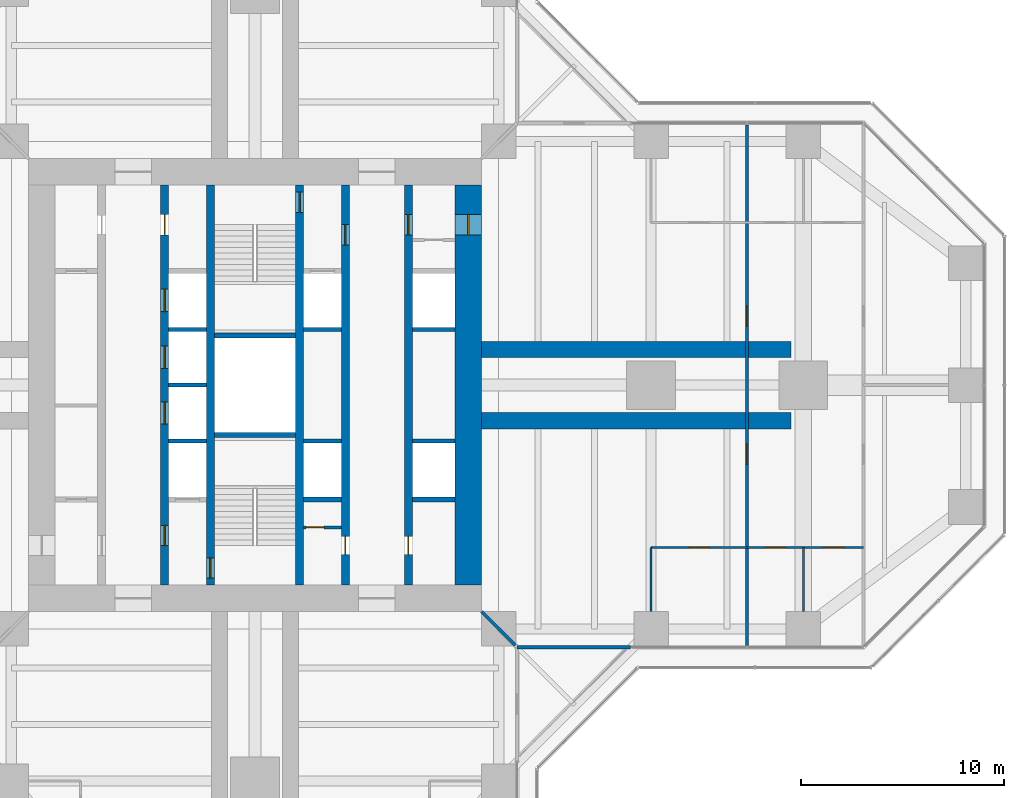
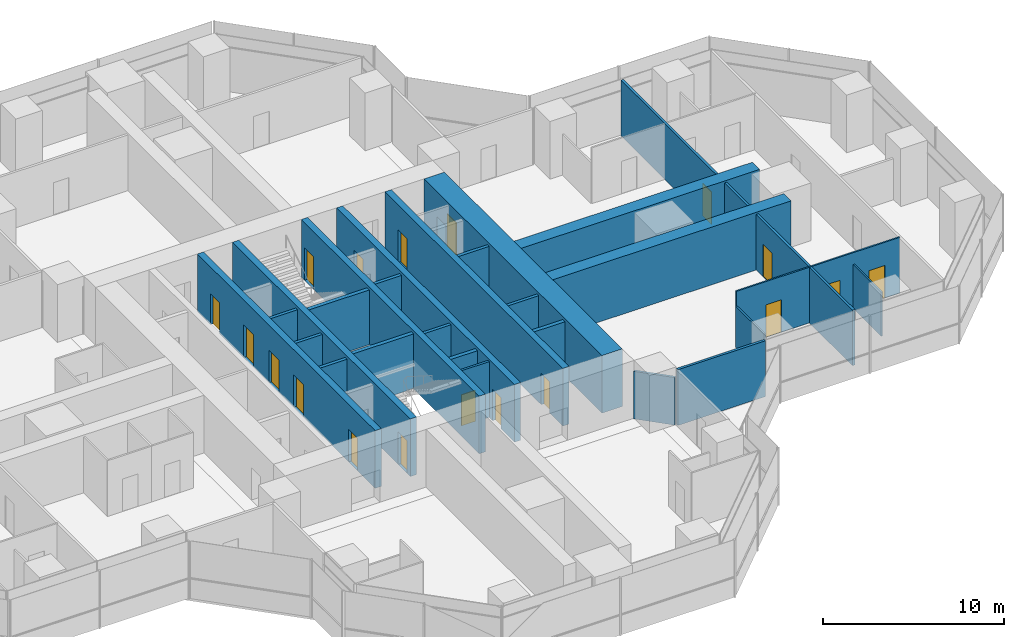
# One storey, part 16 of 20: 27 walls, 18 doors, 18 openings.
"""IFC4 building model written with IfcOpenShell, lengths in metres."""

from ifc_helpers import new_model, si_unit, direction, frame, frame_2d, origin, place, context, subcontext, project, spatial, rectangle, extrude, material, layer, layer_set, type_object, element, fill, save


model = new_model("IFC4")

# Units and contexts
model_context = context("Model", 3, precision=1e-05, world=origin(), true_north=direction((0.0, 1.0)))
body_context = subcontext(model_context, "Body", "Model", "MODEL_VIEW")
ifc_project = project(units=[si_unit("LENGTHUNIT", "METRE"), si_unit("AREAUNIT", "SQUARE_METRE"), si_unit("VOLUMEUNIT", "CUBIC_METRE"), si_unit("PLANEANGLEUNIT", "RADIAN"), si_unit("MASSUNIT", "GRAM", prefix="KILO")], contexts=[model_context])

# Site, building, storey
site_placement = place(None, origin())
site = spatial("IfcSite", under=ifc_project, at=site_placement, CompositionType="ELEMENT")
building_placement = place(site_placement, origin())
building = spatial("IfcBuilding", under=site, at=building_placement, Name="Mizan Broadcast Tower", CompositionType="ELEMENT")
storey_placement = place(building_placement, frame((0.0, 0.0, 135.89990234375)))
storey = spatial("IfcBuildingStorey", under=building, at=storey_placement, Name="L30", CompositionType="ELEMENT", Elevation=135.89990234375)

# Wall, openings, doors
ifc_material_1 = material(Name="Concrete C70/85", Category="concrete")
ifc_layer_1 = layer(ifc_material_1, 0.39990234375)
ifc_layer_set_1 = layer_set([ifc_layer_1], Name="Concrete C70/85")
wall_type_1 = type_object("IfcWallType", Name="CORE INTERNAL WALL 400", PredefinedType="SHEAR", material=ifc_layer_set_1)
wall_1_placement = place(storey_placement, frame((7.550048828125, 9.85009765625, 0.0), z_axis=(0.0, 0.0, 1.0), x_axis=(0.0, -1.0, 0.0)))
wall_1 = element("IfcWall", 1, at=wall_1_placement, inside=storey, type_object=wall_type_1, Name="Core wall CORE/XW1E", PredefinedType="SHEAR", context=body_context, shape_type="SweptSolid", body=[
    extrude(rectangle(XDim=19.7001953125, YDim=0.39990234375, at=frame_2d((9.85009765625, 0.0))), origin(), (0.0, 0.0, 1.0), 3.900146484375),
])
opening_1_placement = place(wall_1_placement, frame((1.449951171875, 0.0, 0.0)))
opening_1 = element("IfcOpeningElement", 2, at=opening_1_placement, cuts=wall_1, Name="Opening D10F", PredefinedType="OPENING", context=body_context, shape_type="SweptSolid", body=[
    extrude(rectangle(XDim=1.0, YDim=2.199951171875, at=frame_2d((0.5, 1.10009765625))), frame((0.0, 0.2099609375, 0.0), z_axis=(0.0, -1.0, 0.0), x_axis=(1.0, 0.0, 0.0)), (0.0, 0.0, 1.0), 0.419921875),
])
opening_2_placement = place(wall_1_placement, frame((17.300048828125, 0.0, 0.0)))
opening_2 = element("IfcOpeningElement", 3, at=opening_2_placement, cuts=wall_1, Name="Opening D09", PredefinedType="OPENING", context=body_context, shape_type="SweptSolid", body=[
    extrude(rectangle(XDim=0.89990234375, YDim=2.10009765625, at=frame_2d((0.449951171875, 1.050048828125))), frame((0.0, 0.2099609375, 0.0), z_axis=(0.0, -1.0, 0.0), x_axis=(1.0, 0.0, 0.0)), (0.0, 0.0, 1.0), 0.419921875),
])
ifc_material_2 = material(Name="Steel door leaf in steel frame", Category="steel")
door_type_1 = type_object("IfcDoorType", Name="FIRE DOOR 1000 FD90", OperationType="SINGLE_SWING_LEFT", PredefinedType="DOOR", material=ifc_material_2)
door_1_placement = place(opening_1_placement, origin())
door_1 = element("IfcDoor", 4, at=door_1_placement, inside=storey, type_object=door_type_1, Name="East core passage door", OperationType="SINGLE_SWING_LEFT", OverallHeight=2.199951171875, OverallWidth=1.0, PredefinedType="DOOR", context=body_context, shape_type="SweptSolid", body=[
    extrude(rectangle(XDim=1.0, YDim=2.199951171875, at=frame_2d((0.5, 1.10009765625))), frame((0.0, 0.02490234375, 0.0), z_axis=(0.0, -1.0, 0.0), x_axis=(1.0, 0.0, 0.0)), (0.0, 0.0, 1.0), 0.050048828125),
])
fill(opening_1, door_1)
ifc_material_3 = material(Name="Timber door leaf in aluminium frame", Category="wood")
door_type_2 = type_object("IfcDoorType", Name="TOILET DOOR 900", OperationType="SINGLE_SWING_LEFT", PredefinedType="DOOR", material=ifc_material_3)
door_2_placement = place(opening_2_placement, origin())
door_2 = element("IfcDoor", 5, at=door_2_placement, inside=storey, type_object=door_type_2, Name="Female WC door", OperationType="SINGLE_SWING_RIGHT", OverallHeight=2.10009765625, OverallWidth=0.89990234375, PredefinedType="DOOR", context=body_context, shape_type="SweptSolid", body=[
    extrude(rectangle(XDim=0.89990234375, YDim=2.10009765625, at=frame_2d((0.449951171875, 1.050048828125))), frame((0.0, 0.02490234375, 0.0), z_axis=(0.0, -1.0, 0.0), x_axis=(1.0, 0.0, 0.0)), (0.0, 0.0, 1.0), 0.050048828125),
])
fill(opening_2, door_2)

wall_2_placement = place(storey_placement, frame((-4.449951171875, -9.85009765625, 0.0), z_axis=(0.0, 0.0, 1.0), x_axis=(0.0, 1.0, 0.0)))
wall_2 = element("IfcWall", 6, at=wall_2_placement, inside=storey, type_object=wall_type_1, Name="Core wall CORE/XWH", PredefinedType="SHEAR", context=body_context, shape_type="SweptSolid", body=[
    extrude(rectangle(XDim=19.7001953125, YDim=0.39990234375, at=frame_2d((9.85009765625, 0.0))), origin(), (0.0, 0.0, 1.0), 3.900146484375),
])
opening_3_placement = place(wall_2_placement, frame((1.949951171875, 0.0, 0.0)))
opening_3 = element("IfcOpeningElement", 7, at=opening_3_placement, cuts=wall_2, Name="Opening D10F", PredefinedType="OPENING", context=body_context, shape_type="SweptSolid", body=[
    extrude(rectangle(XDim=1.0, YDim=2.199951171875, at=frame_2d((0.5, 1.10009765625))), frame((0.0, 0.2099609375, 0.0), z_axis=(0.0, -1.0, 0.0), x_axis=(1.0, 0.0, 0.0)), (0.0, 0.0, 1.0), 0.419921875),
])
opening_4_placement = place(wall_2_placement, frame((17.25, 0.0, 0.0)))
opening_4 = element("IfcOpeningElement", 8, at=opening_4_placement, cuts=wall_2, Name="Opening D10A", PredefinedType="OPENING", context=body_context, shape_type="SweptSolid", body=[
    extrude(rectangle(XDim=1.0, YDim=2.10009765625, at=frame_2d((0.5, 1.050048828125))), frame((0.0, 0.2099609375, 0.0), z_axis=(0.0, -1.0, 0.0), x_axis=(1.0, 0.0, 0.0)), (0.0, 0.0, 1.0), 0.419921875),
])
opening_5_placement = place(wall_2_placement, frame((7.925048828125, 0.0, 0.0)))
opening_5 = element("IfcOpeningElement", 9, at=opening_5_placement, cuts=wall_2, Name="Opening LD", PredefinedType="OPENING", context=body_context, shape_type="SweptSolid", body=[
    extrude(rectangle(XDim=1.10009765625, YDim=2.199951171875, at=frame_2d((0.550048828125, 1.10009765625))), frame((0.0, 0.2099609375, 0.0), z_axis=(0.0, -1.0, 0.0), x_axis=(1.0, 0.0, 0.0)), (0.0, 0.0, 1.0), 0.419921875),
])
opening_6_placement = place(wall_2_placement, frame((10.675048828125, 0.0, 0.0)))
opening_6 = element("IfcOpeningElement", 10, at=opening_6_placement, cuts=wall_2, Name="Opening LD", PredefinedType="OPENING", context=body_context, shape_type="SweptSolid", body=[
    extrude(rectangle(XDim=1.10009765625, YDim=2.199951171875, at=frame_2d((0.550048828125, 1.10009765625))), frame((0.0, 0.2099609375, 0.0), z_axis=(0.0, -1.0, 0.0), x_axis=(1.0, 0.0, 0.0)), (0.0, 0.0, 1.0), 0.419921875),
])
opening_7_placement = place(wall_2_placement, frame((13.47509765625, 0.0, 0.0)))
opening_7 = element("IfcOpeningElement", 11, at=opening_7_placement, cuts=wall_2, Name="Opening LD", PredefinedType="OPENING", context=body_context, shape_type="SweptSolid", body=[
    extrude(rectangle(XDim=1.10009765625, YDim=2.199951171875, at=frame_2d((0.550048828125, 1.10009765625))), frame((0.0, 0.2099609375, 0.0), z_axis=(0.0, -1.0, 0.0), x_axis=(1.0, 0.0, 0.0)), (0.0, 0.0, 1.0), 0.419921875),
])
ifc_material_4 = material(Name="Timber door leaf in aluminium frame", Category="wood")
door_type_3 = type_object("IfcDoorType", Name="ACCESSIBLE WC DOOR 1000", OperationType="SLIDING_TO_LEFT", PredefinedType="DOOR", material=ifc_material_4)
door_3_placement = place(opening_4_placement, origin())
door_3 = element("IfcDoor", 12, at=door_3_placement, inside=storey, type_object=door_type_3, Name="Accessible WC door", OperationType="SLIDING_TO_LEFT", OverallHeight=2.10009765625, OverallWidth=1.0, PredefinedType="DOOR", context=body_context, shape_type="SweptSolid", body=[
    extrude(rectangle(XDim=1.0, YDim=2.10009765625, at=frame_2d((0.5, 1.050048828125))), frame((0.0, 0.02490234375, 0.0), z_axis=(0.0, -1.0, 0.0), x_axis=(1.0, 0.0, 0.0)), (0.0, 0.0, 1.0), 0.050048828125),
])
fill(opening_4, door_3)
door_4_placement = place(opening_3_placement, origin())
door_4 = element("IfcDoor", 13, at=door_4_placement, inside=storey, type_object=door_type_1, Name="Firefighting lobby A door", OperationType="SINGLE_SWING_LEFT", OverallHeight=2.199951171875, OverallWidth=1.0, PredefinedType="DOOR", context=body_context, shape_type="SweptSolid", body=[
    extrude(rectangle(XDim=1.0, YDim=2.199951171875, at=frame_2d((0.5, 1.10009765625))), frame((0.0, 0.02490234375, 0.0), z_axis=(0.0, -1.0, 0.0), x_axis=(1.0, 0.0, 0.0)), (0.0, 0.0, 1.0), 0.050048828125),
])
fill(opening_3, door_4)
ifc_material_5 = material(Name="Steel door leaf in steel frame", Category="steel")
door_type_4 = type_object("IfcDoorType", Name="LIFT LANDING DOOR 1100", OperationType="SLIDING_TO_LEFT", PredefinedType="DOOR", material=ifc_material_5)
door_5_placement = place(opening_5_placement, origin())
door_5 = element("IfcDoor", 14, at=door_5_placement, inside=storey, type_object=door_type_4, Name="Landing door LB1", OperationType="SLIDING_TO_LEFT", OverallHeight=2.199951171875, OverallWidth=1.10009765625, PredefinedType="DOOR", context=body_context, shape_type="SweptSolid", body=[
    extrude(rectangle(XDim=1.10009765625, YDim=2.199951171875, at=frame_2d((0.550048828125, 1.10009765625))), frame((0.0, 0.02490234375, 0.0), z_axis=(0.0, -1.0, 0.0), x_axis=(1.0, 0.0, 0.0)), (0.0, 0.0, 1.0), 0.050048828125),
])
fill(opening_5, door_5)
door_6_placement = place(opening_6_placement, origin())
door_6 = element("IfcDoor", 15, at=door_6_placement, inside=storey, type_object=door_type_4, Name="Landing door LB2", OperationType="SLIDING_TO_LEFT", OverallHeight=2.199951171875, OverallWidth=1.10009765625, PredefinedType="DOOR", context=body_context, shape_type="SweptSolid", body=[
    extrude(rectangle(XDim=1.10009765625, YDim=2.199951171875, at=frame_2d((0.550048828125, 1.10009765625))), frame((0.0, 0.02490234375, 0.0), z_axis=(0.0, -1.0, 0.0), x_axis=(1.0, 0.0, 0.0)), (0.0, 0.0, 1.0), 0.050048828125),
])
fill(opening_6, door_6)
door_7_placement = place(opening_7_placement, origin())
door_7 = element("IfcDoor", 16, at=door_7_placement, inside=storey, type_object=door_type_4, Name="Landing door LB3", OperationType="SLIDING_TO_LEFT", OverallHeight=2.199951171875, OverallWidth=1.10009765625, PredefinedType="DOOR", context=body_context, shape_type="SweptSolid", body=[
    extrude(rectangle(XDim=1.10009765625, YDim=2.199951171875, at=frame_2d((0.550048828125, 1.10009765625))), frame((0.0, 0.02490234375, 0.0), z_axis=(0.0, -1.0, 0.0), x_axis=(1.0, 0.0, 0.0)), (0.0, 0.0, 1.0), 0.050048828125),
])
fill(opening_7, door_7)

wall_3_placement = place(storey_placement, frame((4.449951171875, 9.85009765625, 0.0), z_axis=(0.0, 0.0, 1.0), x_axis=(0.0, -1.0, 0.0)))
wall_3 = element("IfcWall", 17, at=wall_3_placement, inside=storey, type_object=wall_type_1, Name="Core wall CORE/XWHE", PredefinedType="SHEAR", context=body_context, shape_type="SweptSolid", body=[
    extrude(rectangle(XDim=19.7001953125, YDim=0.39990234375, at=frame_2d((9.85009765625, 0.0))), origin(), (0.0, 0.0, 1.0), 3.900146484375),
])
opening_8_placement = place(wall_3_placement, frame((1.949951171875, 0.0, 0.0)))
opening_8 = element("IfcOpeningElement", 18, at=opening_8_placement, cuts=wall_3, Name="Opening D10F", PredefinedType="OPENING", context=body_context, shape_type="SweptSolid", body=[
    extrude(rectangle(XDim=1.0, YDim=2.199951171875, at=frame_2d((0.5, 1.10009765625))), frame((0.0, 0.2099609375, 0.0), z_axis=(0.0, -1.0, 0.0), x_axis=(1.0, 0.0, 0.0)), (0.0, 0.0, 1.0), 0.419921875),
])
opening_9_placement = place(wall_3_placement, frame((17.300048828125, 0.0, 0.0)))
opening_9 = element("IfcOpeningElement", 19, at=opening_9_placement, cuts=wall_3, Name="Opening D09", PredefinedType="OPENING", context=body_context, shape_type="SweptSolid", body=[
    extrude(rectangle(XDim=0.89990234375, YDim=2.10009765625, at=frame_2d((0.449951171875, 1.050048828125))), frame((0.0, 0.2099609375, 0.0), z_axis=(0.0, -1.0, 0.0), x_axis=(1.0, 0.0, 0.0)), (0.0, 0.0, 1.0), 0.419921875),
])
door_8_placement = place(opening_8_placement, origin())
door_8 = element("IfcDoor", 20, at=door_8_placement, inside=storey, type_object=door_type_1, Name="Firefighting lobby B door", OperationType="SINGLE_SWING_LEFT", OverallHeight=2.199951171875, OverallWidth=1.0, PredefinedType="DOOR", context=body_context, shape_type="SweptSolid", body=[
    extrude(rectangle(XDim=1.0, YDim=2.199951171875, at=frame_2d((0.5, 1.10009765625))), frame((0.0, 0.02490234375, 0.0), z_axis=(0.0, -1.0, 0.0), x_axis=(1.0, 0.0, 0.0)), (0.0, 0.0, 1.0), 0.050048828125),
])
fill(opening_8, door_8)
door_9_placement = place(opening_9_placement, origin())
door_9 = element("IfcDoor", 21, at=door_9_placement, inside=storey, type_object=door_type_2, Name="Cleaner's store door", OperationType="SINGLE_SWING_RIGHT", OverallHeight=2.10009765625, OverallWidth=0.89990234375, PredefinedType="DOOR", context=body_context, shape_type="SweptSolid", body=[
    extrude(rectangle(XDim=0.89990234375, YDim=2.10009765625, at=frame_2d((0.449951171875, 1.050048828125))), frame((0.0, 0.02490234375, 0.0), z_axis=(0.0, -1.0, 0.0), x_axis=(1.0, 0.0, 0.0)), (0.0, 0.0, 1.0), 0.050048828125),
])
fill(opening_9, door_9)

# Wall, opening, door
wall_4_placement = place(storey_placement, frame((-2.199951171875, -9.85009765625, 0.0), z_axis=(0.0, 0.0, 1.0), x_axis=(0.0, 1.0, 0.0)))
wall_4 = element("IfcWall", 22, at=wall_4_placement, inside=storey, type_object=wall_type_1, Name="Core wall CORE/XW2", PredefinedType="SHEAR", context=body_context, shape_type="SweptSolid", body=[
    extrude(rectangle(XDim=19.7001953125, YDim=0.39990234375, at=frame_2d((9.85009765625, 0.0))), origin(), (0.0, 0.0, 1.0), 3.900146484375),
])
opening_10_placement = place(wall_4_placement, frame((0.35009765625, 0.0, 0.0)))
opening_10 = element("IfcOpeningElement", 23, at=opening_10_placement, cuts=wall_4, Name="Opening D10S", PredefinedType="OPENING", context=body_context, shape_type="SweptSolid", body=[
    extrude(rectangle(XDim=1.0, YDim=2.199951171875, at=frame_2d((0.5, 1.10009765625))), frame((0.0, 0.2099609375, 0.0), z_axis=(0.0, -1.0, 0.0), x_axis=(1.0, 0.0, 0.0)), (0.0, 0.0, 1.0), 0.419921875),
])
ifc_material_6 = material(Name="Steel door leaf in steel frame", Category="steel")
door_type_5 = type_object("IfcDoorType", Name="STAIR DOOR 1000 FD90S", OperationType="SINGLE_SWING_RIGHT", PredefinedType="DOOR", material=ifc_material_6)
door_10_placement = place(opening_10_placement, origin())
door_10 = element("IfcDoor", 24, at=door_10_placement, inside=storey, type_object=door_type_5, Name="Stair A door", OperationType="SINGLE_SWING_RIGHT", OverallHeight=2.199951171875, OverallWidth=1.0, PredefinedType="DOOR", context=body_context, shape_type="SweptSolid", body=[
    extrude(rectangle(XDim=1.0, YDim=2.199951171875, at=frame_2d((0.5, 1.10009765625))), frame((0.0, 0.02490234375, 0.0), z_axis=(0.0, -1.0, 0.0), x_axis=(1.0, 0.0, 0.0)), (0.0, 0.0, 1.0), 0.050048828125),
])
fill(opening_10, door_10)

wall_5_placement = place(storey_placement, frame((2.199951171875, 9.85009765625, 0.0), z_axis=(0.0, 0.0, 1.0), x_axis=(0.0, -1.0, 0.0)))
wall_5 = element("IfcWall", 25, at=wall_5_placement, inside=storey, type_object=wall_type_1, Name="Core wall CORE/XW2E", PredefinedType="SHEAR", context=body_context, shape_type="SweptSolid", body=[
    extrude(rectangle(XDim=19.7001953125, YDim=0.39990234375, at=frame_2d((9.85009765625, 0.0))), origin(), (0.0, 0.0, 1.0), 3.900146484375),
])
opening_11_placement = place(wall_5_placement, frame((0.35009765625, 0.0, 0.0)))
opening_11 = element("IfcOpeningElement", 26, at=opening_11_placement, cuts=wall_5, Name="Opening D10S", PredefinedType="OPENING", context=body_context, shape_type="SweptSolid", body=[
    extrude(rectangle(XDim=1.0, YDim=2.199951171875, at=frame_2d((0.5, 1.10009765625))), frame((0.0, 0.2099609375, 0.0), z_axis=(0.0, -1.0, 0.0), x_axis=(1.0, 0.0, 0.0)), (0.0, 0.0, 1.0), 0.419921875),
])
door_11_placement = place(opening_11_placement, origin())
door_11 = element("IfcDoor", 27, at=door_11_placement, inside=storey, type_object=door_type_5, Name="Stair B door", OperationType="SINGLE_SWING_RIGHT", OverallHeight=2.199951171875, OverallWidth=1.0, PredefinedType="DOOR", context=body_context, shape_type="SweptSolid", body=[
    extrude(rectangle(XDim=1.0, YDim=2.199951171875, at=frame_2d((0.5, 1.10009765625))), frame((0.0, 0.02490234375, 0.0), z_axis=(0.0, -1.0, 0.0), x_axis=(1.0, 0.0, 0.0)), (0.0, 0.0, 1.0), 0.050048828125),
])
fill(opening_11, door_11)

ifc_material_7 = material(Name="Concrete blockwork", Category="masonry")
ifc_layer_2 = layer(ifc_material_7, 0.14990234375)
ifc_layer_set_2 = layer_set([ifc_layer_2], Name="Concrete blockwork")
wall_type_2 = type_object("IfcWallType", Name="CORE PARTITION 150", PredefinedType="SOLIDWALL", material=ifc_layer_set_2)
wall_6_placement = place(storey_placement, frame((2.39990234375, -7.0, 0.0), z_axis=(0.0, 0.0, 1.0), x_axis=(1.0, 0.0, 0.0)))
wall_6 = element("IfcWall", 28, at=wall_6_placement, inside=storey, type_object=wall_type_2, Name="Core partition CORE/XPC", PredefinedType="SOLIDWALL", context=body_context, shape_type="SweptSolid", body=[
    extrude(rectangle(XDim=1.85009765625, YDim=0.14990234375, at=frame_2d((0.925048828125, 0.0))), origin(), (0.0, 0.0, 1.0), 3.77001953125),
])
opening_12_placement = place(wall_6_placement, frame((0.10009765625, 0.0, 0.0)))
opening_12 = element("IfcOpeningElement", 29, at=opening_12_placement, cuts=wall_6, Name="Opening D09F", PredefinedType="OPENING", context=body_context, shape_type="SweptSolid", body=[
    extrude(rectangle(XDim=0.89990234375, YDim=2.10009765625, at=frame_2d((0.449951171875, 1.050048828125))), frame((0.0, 0.0849609375, 0.0), z_axis=(0.0, -1.0, 0.0), x_axis=(1.0, 0.0, 0.0)), (0.0, 0.0, 1.0), 0.169921875),
])
ifc_material_8 = material(Name="Steel door leaf in steel frame", Category="steel")
door_type_6 = type_object("IfcDoorType", Name="CORE ROOM DOOR 900 FD90", OperationType="SINGLE_SWING_LEFT", PredefinedType="DOOR", material=ifc_material_8)
door_12_placement = place(opening_12_placement, origin())
door_12 = element("IfcDoor", 30, at=door_12_placement, inside=storey, type_object=door_type_6, Name="Cleaning materials store door", OperationType="SINGLE_SWING_LEFT", OverallHeight=2.10009765625, OverallWidth=0.89990234375, PredefinedType="DOOR", context=body_context, shape_type="SweptSolid", body=[
    extrude(rectangle(XDim=0.89990234375, YDim=2.10009765625, at=frame_2d((0.449951171875, 1.050048828125))), frame((0.0, 0.02490234375, 0.0), z_axis=(0.0, -1.0, 0.0), x_axis=(1.0, 0.0, 0.0)), (0.0, 0.0, 1.0), 0.050048828125),
])
fill(opening_12, door_12)

ifc_material_9 = material(Name="Concrete C70/85", Category="concrete")
ifc_layer_3 = layer(ifc_material_9, 1.300048828125)
ifc_layer_set_3 = layer_set([ifc_layer_3], Name="Concrete C70/85")
wall_type_3 = type_object("IfcWallType", Name="CORE WALL 1300", PredefinedType="SHEAR", material=ifc_layer_set_3)
wall_7_placement = place(storey_placement, frame((10.5, -9.85009765625, 0.0), z_axis=(0.0, 0.0, 1.0), x_axis=(0.0, 1.0, 0.0)))
wall_7 = element("IfcWall", 31, at=wall_7_placement, inside=storey, type_object=wall_type_3, Name="Core wall E L30", PredefinedType="SHEAR", context=body_context, shape_type="SweptSolid", body=[
    extrude(rectangle(XDim=19.7001953125, YDim=1.300048828125, at=frame_2d((9.85009765625, 0.0))), origin(), (0.0, 0.0, 1.0), 3.900146484375),
])
opening_13_placement = place(wall_7_placement, frame((17.25, 0.0, 0.0)))
opening_13 = element("IfcOpeningElement", 32, at=opening_13_placement, cuts=wall_7, Name="Opening D10F", PredefinedType="OPENING", context=body_context, shape_type="SweptSolid", body=[
    extrude(rectangle(XDim=1.0, YDim=2.199951171875, at=frame_2d((0.5, 1.10009765625))), frame((0.0, 0.659912109375, 0.0), z_axis=(0.0, -1.0, 0.0), x_axis=(1.0, 0.0, 0.0)), (0.0, 0.0, 1.0), 1.320068359375),
])
door_13_placement = place(opening_13_placement, origin())
door_13 = element("IfcDoor", 33, at=door_13_placement, inside=storey, type_object=door_type_1, Name="East core passage arm door", OperationType="SINGLE_SWING_RIGHT", OverallHeight=2.199951171875, OverallWidth=1.0, PredefinedType="DOOR", context=body_context, shape_type="SweptSolid", body=[
    extrude(rectangle(XDim=1.0, YDim=2.199951171875, at=frame_2d((0.5, 1.10009765625))), frame((0.0, 0.02490234375, 0.0), z_axis=(0.0, -1.0, 0.0), x_axis=(1.0, 0.0, 0.0)), (0.0, 0.0, 1.0), 0.050048828125),
])
fill(opening_13, door_13)

# Walls
ifc_material_10 = material(Name="Aluminium framed glazed screen", Category="aluminium")
ifc_layer_4 = layer(ifc_material_10, 0.159912109375)
ifc_layer_set_4 = layer_set([ifc_layer_4], Name="Aluminium framed glazed screen")
wall_type_4 = type_object("IfcWallType", Name="GLAZED SCREEN WALL 160", PredefinedType="SOLIDWALL", material=ifc_layer_set_4)
wall_8_placement = place(storey_placement, frame((12.89990234375, -12.89990234375, 0.0), z_axis=(0.0, 0.0, 1.0), x_axis=(1.0, 0.0, 0.0)))
element("IfcWall", 34, at=wall_8_placement, inside=storey, type_object=wall_type_4, Name="Winter garden screen L30 E", PredefinedType="SOLIDWALL", context=body_context, shape_type="SweptSolid", body=[
    extrude(rectangle(XDim=5.60009765625, YDim=0.159912109375, at=frame_2d((2.800048828125, 0.0))), origin(), (0.0, 0.0, 1.0), 3.77001953125),
])
ifc_material_11 = material(Name="Concrete blockwork", Category="masonry")
ifc_layer_5 = layer(ifc_material_11, 0.199951171875)
ifc_layer_set_5 = layer_set([ifc_layer_5], Name="Concrete blockwork")
wall_type_5 = type_object("IfcWallType", Name="LIFT SHAFT WALL 200", PredefinedType="SOLIDWALL", material=ifc_layer_set_5)
for number, where, z_axis, x_axis, name in (
    (35, (-4.25, -2.75, 0.0), (0.0, 0.0, 1.0), (1.0, 0.0, 0.0), "Lift shaft wall CORE/SW2-1"),
    (36, (2.39990234375, -2.75, 0.0), (0.0, 0.0, 1.0), (1.0, 0.0, 0.0), "Lift shaft wall CORE/SE2-1"),
):
    element("IfcWall", number, at=place(storey_placement, frame(where, z_axis=z_axis, x_axis=x_axis)), inside=storey, type_object=wall_type_5, Name=name, PredefinedType="SOLIDWALL", context=body_context, shape_type="SweptSolid", body=[
        extrude(rectangle(XDim=1.85009765625, YDim=0.199951171875, at=frame_2d((0.925048828125, 0.0))), origin(), (0.0, 0.0, 1.0), 3.7001953125),
    ])
wall_9_placement = place(storey_placement, frame((7.75, -2.75, 0.0), z_axis=(0.0, 0.0, 1.0), x_axis=(1.0, 0.0, 0.0)))
element("IfcWall", 37, at=wall_9_placement, inside=storey, type_object=wall_type_5, Name="Lift shaft wall CORE/SE1-1", PredefinedType="SOLIDWALL", context=body_context, shape_type="SweptSolid", body=[
    extrude(rectangle(XDim=2.10009765625, YDim=0.199951171875, at=frame_2d((1.050048828125, 0.0))), origin(), (0.0, 0.0, 1.0), 3.7001953125),
])
for number, where, z_axis, x_axis, name in (
    (38, (-4.25, 0.0, 0.0), (0.0, 0.0, 1.0), (1.0, 0.0, 0.0), "Lift shaft wall CORE/SW2-2"),
    (39, (-4.25, 2.75, 0.0), (0.0, 0.0, 1.0), (1.0, 0.0, 0.0), "Lift shaft wall CORE/SW2-3"),
    (40, (2.39990234375, 2.75, 0.0), (0.0, 0.0, 1.0), (1.0, 0.0, 0.0), "Lift shaft wall CORE/SE2-3"),
):
    element("IfcWall", number, at=place(storey_placement, frame(where, z_axis=z_axis, x_axis=x_axis)), inside=storey, type_object=wall_type_5, Name=name, PredefinedType="SOLIDWALL", context=body_context, shape_type="SweptSolid", body=[
        extrude(rectangle(XDim=1.85009765625, YDim=0.199951171875, at=frame_2d((0.925048828125, 0.0))), origin(), (0.0, 0.0, 1.0), 3.7001953125),
    ])
wall_10_placement = place(storey_placement, frame((7.75, 2.75, 0.0), z_axis=(0.0, 0.0, 1.0), x_axis=(1.0, 0.0, 0.0)))
element("IfcWall", 41, at=wall_10_placement, inside=storey, type_object=wall_type_5, Name="Lift shaft wall CORE/SE1-3", PredefinedType="SOLIDWALL", context=body_context, shape_type="SweptSolid", body=[
    extrude(rectangle(XDim=2.10009765625, YDim=0.199951171875, at=frame_2d((1.050048828125, 0.0))), origin(), (0.0, 0.0, 1.0), 3.7001953125),
])
ifc_material_12 = material(Name="Concrete blockwork", Category="masonry")
ifc_layer_6 = layer(ifc_material_12, 0.25)
ifc_layer_set_6 = layer_set([ifc_layer_6], Name="Concrete blockwork")
wall_type_6 = type_object("IfcWallType", Name="LOBBY ENCLOSURE WALL 250", PredefinedType="SOLIDWALL", material=ifc_layer_set_6)
wall_11_placement = place(storey_placement, frame((2.39990234375, -5.625, 0.0), z_axis=(0.0, 0.0, 1.0), x_axis=(1.0, 0.0, 0.0)))
element("IfcWall", 42, at=wall_11_placement, inside=storey, type_object=wall_type_6, Name="Lobby enclosure wall CORE/BE2S", PredefinedType="SOLIDWALL", context=body_context, shape_type="SweptSolid", body=[
    extrude(rectangle(XDim=1.85009765625, YDim=0.25, at=frame_2d((0.925048828125, 0.0))), origin(), (0.0, 0.0, 1.0), 3.7001953125),
])
wall_12_placement = place(storey_placement, frame((7.75, -5.625, 0.0), z_axis=(0.0, 0.0, 1.0), x_axis=(1.0, 0.0, 0.0)))
element("IfcWall", 43, at=wall_12_placement, inside=storey, type_object=wall_type_6, Name="Lobby enclosure wall CORE/BE1S", PredefinedType="SOLIDWALL", context=body_context, shape_type="SweptSolid", body=[
    extrude(rectangle(XDim=2.10009765625, YDim=0.25, at=frame_2d((1.050048828125, 0.0))), origin(), (0.0, 0.0, 1.0), 3.7001953125),
])
for number, where, z_axis, x_axis, name in (
    (44, (-2.0, -2.449951171875, 0.0), (0.0, 0.0, 1.0), (1.0, 0.0, 0.0), "Lobby enclosure wall CORE/STA"),
    (45, (-2.0, 2.449951171875, 0.0), (0.0, 0.0, 1.0), (1.0, 0.0, 0.0), "Lobby enclosure wall CORE/STB"),
):
    element("IfcWall", number, at=place(storey_placement, frame(where, z_axis=z_axis, x_axis=x_axis)), inside=storey, type_object=wall_type_6, Name=name, PredefinedType="SOLIDWALL", context=body_context, shape_type="SweptSolid", body=[
        extrude(rectangle(XDim=4.0, YDim=0.25, at=frame_2d((2.0, 0.0))), origin(), (0.0, 0.0, 1.0), 3.7001953125),
    ])

# Wall, openings, doors
ifc_material_13 = material(Name="Gypsum board on steel studs", Category="steel")
ifc_layer_7 = layer(ifc_material_13, 0.14990234375)
ifc_layer_set_7 = layer_set([ifc_layer_7], Name="Gypsum board on steel studs")
wall_type_7 = type_object("IfcWallType", Name="PARTITION 150", PredefinedType="PARTITIONING", material=ifc_layer_set_7)
wall_13_placement = place(storey_placement, frame((24.22900390625, -12.820068359375, 0.0), z_axis=(0.0, 0.0, 1.0), x_axis=(0.0, 1.0, 0.0)))
wall_13 = element("IfcWall", 46, at=wall_13_placement, inside=storey, type_object=wall_type_7, Name="Partition PT/EX1", PredefinedType="PARTITIONING", context=body_context, shape_type="SweptSolid", body=[
    extrude(rectangle(XDim=25.64013671875, YDim=0.14990234375, at=frame_2d((12.820068359375, 0.0))), origin(), (0.0, 0.0, 1.0), 3.77001953125),
])
opening_14_placement = place(wall_13_placement, frame((15.719970703125, 0.0, 0.0)))
opening_14 = element("IfcOpeningElement", 47, at=opening_14_placement, cuts=wall_13, Name="Opening D10", PredefinedType="OPENING", context=body_context, shape_type="SweptSolid", body=[
    extrude(rectangle(XDim=1.0, YDim=2.199951171875, at=frame_2d((0.5, 1.10009765625))), frame((0.0, 0.0849609375, 0.0), z_axis=(0.0, -1.0, 0.0), x_axis=(1.0, 0.0, 0.0)), (0.0, 0.0, 1.0), 0.169921875),
])
opening_15_placement = place(wall_13_placement, frame((8.919921875, 0.0, 0.0)))
opening_15 = element("IfcOpeningElement", 48, at=opening_15_placement, cuts=wall_13, Name="Opening D10", PredefinedType="OPENING", context=body_context, shape_type="SweptSolid", body=[
    extrude(rectangle(XDim=1.0, YDim=2.199951171875, at=frame_2d((0.5, 1.10009765625))), frame((0.0, 0.0849609375, 0.0), z_axis=(0.0, -1.0, 0.0), x_axis=(1.0, 0.0, 0.0)), (0.0, 0.0, 1.0), 0.169921875),
])
ifc_material_14 = material(Name="Timber door leaf in aluminium frame", Category="wood")
door_type_7 = type_object("IfcDoorType", Name="ROOM DOOR 1000", OperationType="SINGLE_SWING_LEFT", PredefinedType="DOOR", material=ifc_material_14)
door_14_placement = place(opening_14_placement, origin())
door_14 = element("IfcDoor", 49, at=door_14_placement, inside=storey, type_object=door_type_7, Name="Open office door", OperationType="SINGLE_SWING_RIGHT", OverallHeight=2.199951171875, OverallWidth=1.0, PredefinedType="DOOR", context=body_context, shape_type="SweptSolid", body=[
    extrude(rectangle(XDim=1.0, YDim=2.199951171875, at=frame_2d((0.5, 1.10009765625))), frame((0.0, 0.02490234375, 0.0), z_axis=(0.0, -1.0, 0.0), x_axis=(1.0, 0.0, 0.0)), (0.0, 0.0, 1.0), 0.050048828125),
])
fill(opening_14, door_14)
door_15_placement = place(opening_15_placement, origin())
door_15 = element("IfcDoor", 50, at=door_15_placement, inside=storey, type_object=door_type_7, Name="Open office door", OperationType="SINGLE_SWING_LEFT", OverallHeight=2.199951171875, OverallWidth=1.0, PredefinedType="DOOR", context=body_context, shape_type="SweptSolid", body=[
    extrude(rectangle(XDim=1.0, YDim=2.199951171875, at=frame_2d((0.5, 1.10009765625))), frame((0.0, 0.02490234375, 0.0), z_axis=(0.0, -1.0, 0.0), x_axis=(1.0, 0.0, 0.0)), (0.0, 0.0, 1.0), 0.050048828125),
])
fill(opening_15, door_15)

# Wall
wall_14_placement = place(storey_placement, frame((11.14990234375, -11.14990234375, 0.0), z_axis=(0.0, 0.0, 1.0), x_axis=(0.707106781187, -0.707106781187, 0.0)))
element("IfcWall", 51, at=wall_14_placement, inside=storey, type_object=wall_type_7, Name="Partition PT/DGES", PredefinedType="PARTITIONING", context=body_context, shape_type="SweptSolid", body=[
    extrude(rectangle(XDim=2.362060546875, YDim=0.14990234375, at=frame_2d((1.18115234375, 0.0))), origin(), (0.0, 0.0, 1.0), 3.22021484375),
])

# Wall, opening, door
ifc_material_15 = material(Name="Glazed aluminium partition on aluminium track", Category="aluminium")
ifc_layer_8 = layer(ifc_material_15, 0.10009765625)
ifc_layer_set_8 = layer_set([ifc_layer_8], Name="Glazed aluminium partition on aluminium track")
wall_type_8 = type_object("IfcWallType", Name="PARTITION GLAZED OFFICE FRONT 100", PredefinedType="PARTITIONING", material=ifc_layer_set_8)
wall_15_placement = place(storey_placement, frame((19.5, -8.0, 0.0), z_axis=(0.0, 0.0, 1.0), x_axis=(1.0, 0.0, 0.0)))
wall_15 = element("IfcWall", 52, at=wall_15_placement, inside=storey, type_object=wall_type_8, Name="Glazed office front PT/ECN0", PredefinedType="PARTITIONING", context=body_context, shape_type="SweptSolid", body=[
    extrude(rectangle(XDim=4.72900390625, YDim=0.10009765625, at=frame_2d((2.364501953125, 0.0))), origin(), (0.0, 0.0, 1.0), 3.77001953125),
])
opening_16_placement = place(wall_15_placement, frame((1.864501953125, 0.0, 0.0)))
opening_16 = element("IfcOpeningElement", 53, at=opening_16_placement, cuts=wall_15, Name="Opening D10O", PredefinedType="OPENING", context=body_context, shape_type="SweptSolid", body=[
    extrude(rectangle(XDim=1.0, YDim=2.199951171875, at=frame_2d((0.5, 1.10009765625))), frame((0.0, 0.06005859375, 0.0), z_axis=(0.0, -1.0, 0.0), x_axis=(1.0, 0.0, 0.0)), (0.0, 0.0, 1.0), 0.1201171875),
])
ifc_material_16 = material(Name="Timber door leaf in aluminium frame", Category="wood")
door_type_8 = type_object("IfcDoorType", Name="OFFICE DOOR 1000 GLAZED", OperationType="SINGLE_SWING_LEFT", PredefinedType="DOOR", material=ifc_material_16)
door_16_placement = place(opening_16_placement, origin())
door_16 = element("IfcDoor", 54, at=door_16_placement, inside=storey, type_object=door_type_8, Name="Lawyer's office door", OperationType="SINGLE_SWING_LEFT", OverallHeight=2.199951171875, OverallWidth=1.0, PredefinedType="DOOR", context=body_context, shape_type="SweptSolid", body=[
    extrude(rectangle(XDim=1.0, YDim=2.199951171875, at=frame_2d((0.5, 1.10009765625))), frame((0.0, 0.02490234375, 0.0), z_axis=(0.0, -1.0, 0.0), x_axis=(1.0, 0.0, 0.0)), (0.0, 0.0, 1.0), 0.050048828125),
])
fill(opening_16, door_16)

# Wall, openings, doors
wall_16_placement = place(storey_placement, frame((24.22900390625, -8.0, 0.0), z_axis=(0.0, 0.0, 1.0), x_axis=(1.0, 0.0, 0.0)))
wall_16 = element("IfcWall", 55, at=wall_16_placement, inside=storey, type_object=wall_type_8, Name="Glazed office front PT/ECN1", PredefinedType="PARTITIONING", context=body_context, shape_type="SweptSolid", body=[
    extrude(rectangle(XDim=5.72998046875, YDim=0.10009765625, at=frame_2d((2.864990234375, 0.0))), origin(), (0.0, 0.0, 1.0), 3.77001953125),
])
opening_17_placement = place(wall_16_placement, frame((0.885498046875, 0.0, 0.0)))
opening_17 = element("IfcOpeningElement", 56, at=opening_17_placement, cuts=wall_16, Name="Opening D10O", PredefinedType="OPENING", context=body_context, shape_type="SweptSolid", body=[
    extrude(rectangle(XDim=1.0, YDim=2.199951171875, at=frame_2d((0.5, 1.10009765625))), frame((0.0, 0.06005859375, 0.0), z_axis=(0.0, -1.0, 0.0), x_axis=(1.0, 0.0, 0.0)), (0.0, 0.0, 1.0), 0.1201171875),
])
opening_18_placement = place(wall_16_placement, frame((3.75048828125, 0.0, 0.0)))
opening_18 = element("IfcOpeningElement", 57, at=opening_18_placement, cuts=wall_16, Name="Opening D10O", PredefinedType="OPENING", context=body_context, shape_type="SweptSolid", body=[
    extrude(rectangle(XDim=1.0, YDim=2.199951171875, at=frame_2d((0.5, 1.10009765625))), frame((0.0, 0.06005859375, 0.0), z_axis=(0.0, -1.0, 0.0), x_axis=(1.0, 0.0, 0.0)), (0.0, 0.0, 1.0), 0.1201171875),
])
door_17_placement = place(opening_17_placement, origin())
door_17 = element("IfcDoor", 58, at=door_17_placement, inside=storey, type_object=door_type_8, Name="Lawyer's office door", OperationType="SINGLE_SWING_LEFT", OverallHeight=2.199951171875, OverallWidth=1.0, PredefinedType="DOOR", context=body_context, shape_type="SweptSolid", body=[
    extrude(rectangle(XDim=1.0, YDim=2.199951171875, at=frame_2d((0.5, 1.10009765625))), frame((0.0, 0.02490234375, 0.0), z_axis=(0.0, -1.0, 0.0), x_axis=(1.0, 0.0, 0.0)), (0.0, 0.0, 1.0), 0.050048828125),
])
fill(opening_17, door_17)
door_18_placement = place(opening_18_placement, origin())
door_18 = element("IfcDoor", 59, at=door_18_placement, inside=storey, type_object=door_type_8, Name="Lawyer's office door", OperationType="SINGLE_SWING_RIGHT", OverallHeight=2.199951171875, OverallWidth=1.0, PredefinedType="DOOR", context=body_context, shape_type="SweptSolid", body=[
    extrude(rectangle(XDim=1.0, YDim=2.199951171875, at=frame_2d((0.5, 1.10009765625))), frame((0.0, 0.02490234375, 0.0), z_axis=(0.0, -1.0, 0.0), x_axis=(1.0, 0.0, 0.0)), (0.0, 0.0, 1.0), 0.050048828125),
])
fill(opening_18, door_18)

# Walls
wall_17_placement = place(storey_placement, frame((19.5, -8.0, 0.0), z_axis=(0.0, 0.0, 1.0), x_axis=(0.0, -1.0, 0.0)))
element("IfcWall", 60, at=wall_17_placement, inside=storey, type_object=wall_type_8, Name="Glazed office front PT/EQN1950", PredefinedType="PARTITIONING", context=body_context, shape_type="SweptSolid", body=[
    extrude(rectangle(XDim=3.14990234375, YDim=0.10009765625, at=frame_2d((1.574951171875, 0.0))), origin(), (0.0, 0.0, 1.0), 2.77001953125),
])
wall_18_placement = place(storey_placement, frame((27.0, -8.0, 0.0), z_axis=(0.0, 0.0, 1.0), x_axis=(0.0, -1.0, 0.0)))
element("IfcWall", 61, at=wall_18_placement, inside=storey, type_object=wall_type_8, Name="Glazed office front PT/EQN2700", PredefinedType="PARTITIONING", context=body_context, shape_type="SweptSolid", body=[
    extrude(rectangle(XDim=3.14990234375, YDim=0.10009765625, at=frame_2d((1.574951171875, 0.0))), origin(), (0.0, 0.0, 1.0), 2.97021484375),
])
ifc_material_17 = material(Name="Concrete C70/85", Category="concrete")
ifc_layer_9 = layer(ifc_material_17, 0.800048828125)
ifc_layer_set_9 = layer_set([ifc_layer_9], Name="Concrete C70/85")
wall_type_9 = type_object("IfcWallType", Name="SPINE WALL 800", PredefinedType="SHEAR", material=ifc_layer_set_9)
for number, where, z_axis, x_axis, name in (
    (62, (11.14990234375, -1.75, 0.0), (0.0, 0.0, 1.0), (1.0, 0.0, 0.0), "Spine wall ER L30"),
    (63, (11.14990234375, 1.75, 0.0), (0.0, 0.0, 1.0), (1.0, 0.0, 0.0), "Spine wall EL L30"),
):
    element("IfcWall", number, at=place(storey_placement, frame(where, z_axis=z_axis, x_axis=x_axis)), inside=storey, type_object=wall_type_9, Name=name, PredefinedType="SHEAR", context=body_context, shape_type="SweptSolid", body=[
        extrude(rectangle(XDim=15.25, YDim=0.800048828125, at=frame_2d((7.625, 0.0))), origin(), (0.0, 0.0, 1.0), 3.900146484375),
    ])

save(model, "model.ifc")
